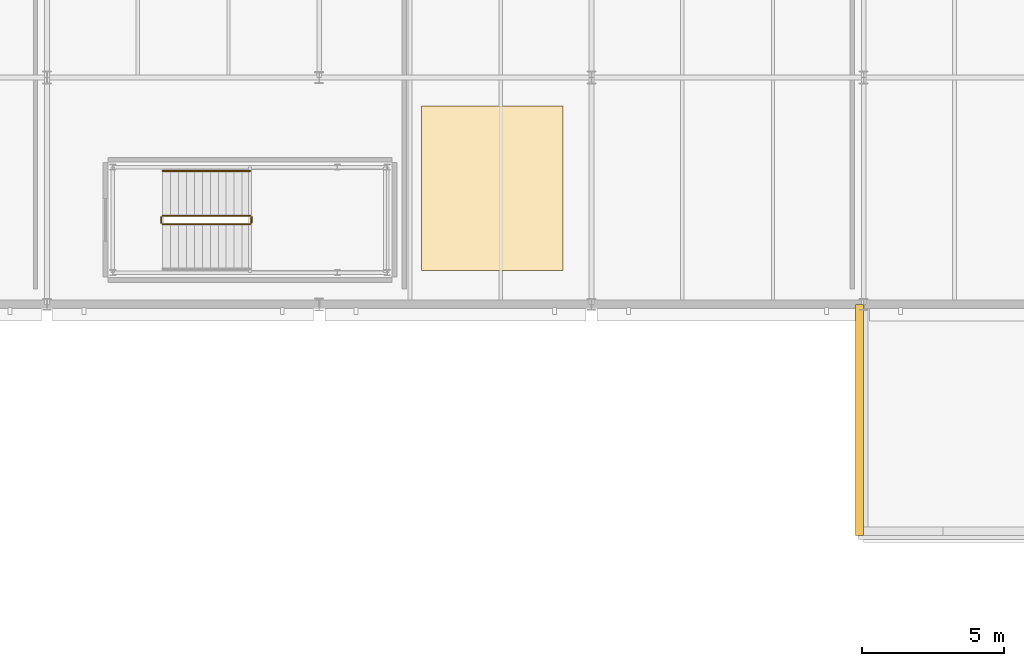
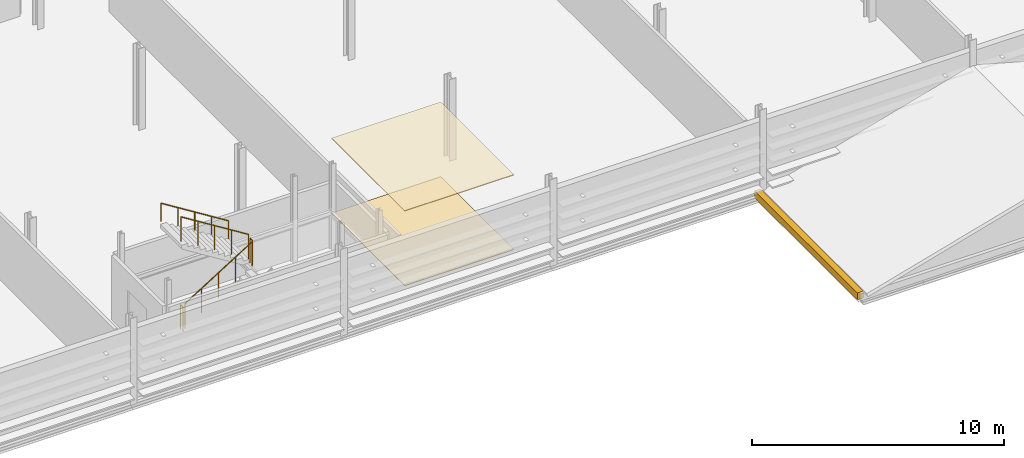
# One storey, part 79 of 85: 5 railings, 3 coverings.
"""IFC4 building model written with IfcOpenShell, lengths in metres."""

import ifcopenshell
import ifcopenshell.guid

model = None  # the IFC model being written
_history = None  # IfcOwnerHistory: only IFC2X3 demands one
_inside = {}  # id of a spatial element -> (the spatial element, [elements in it])
_under = {}  # id of a project, library or spatial element -> (it, [spatial elements below it])
_declared = {}  # id of a project -> (the project, [libraries it declares])
_typed = {}  # id of a type object -> (the type object, [elements of that type])
_made_of = {}  # id of a material, layer set ... -> (it, [elements and type objects made of it])


def new_model(schema):
    """Start an empty IFC model of exactly this schema.

    Asked for "IFC4X3", IfcOpenShell would pick the latest addendum, in which some entities
    have other attributes; the version numbers below select the first issue.
    IFC2X3 requires an IfcOwnerHistory on every rooted entity: one is made here for all.
    """
    global model, _history
    if schema == "IFC4X3":
        model = ifcopenshell.file(schema_version=(4, 3, 0, 0))
    else:
        model = ifcopenshell.file(schema=schema)
    _inside.clear()
    _under.clear()
    _declared.clear()
    _typed.clear()
    _made_of.clear()
    _history = None
    if model.schema == "IFC2X3":
        org = make("IfcOrganization", Name="unknown")
        user = make(
            "IfcPersonAndOrganization",
            ThePerson=make("IfcPerson", FamilyName="unknown"),
            TheOrganization=org,
        )
        app = make(
            "IfcApplication",
            ApplicationDeveloper=org,
            Version="unknown",
            ApplicationFullName="unknown",
            ApplicationIdentifier="unknown",
        )
        _history = make(
            "IfcOwnerHistory",
            OwningUser=user,
            OwningApplication=app,
            ChangeAction="ADDED",
            CreationDate=0,
        )
    return model


def make(cls, **values):
    """One entity of the class cls with the attributes given. An attribute that is None is left unset."""
    return model.create_entity(
        cls, **{name: value for name, value in values.items() if value is not None}
    )


def rooted(cls, **values):
    """An entity with a GlobalId (a new one), such as an element, a storey or a relation."""
    return make(cls, GlobalId=ifcopenshell.guid.new(), OwnerHistory=_history, **values)


def si_unit(unit_type, name, prefix=None):
    """IfcSIUnit, for example si_unit("LENGTHUNIT", "METRE", prefix="MILLI")."""
    return make("IfcSIUnit", UnitType=unit_type, Prefix=prefix, Name=name)


def assignment(units):
    """IfcUnitAssignment: the units of a project."""
    return None if units is None else make("IfcUnitAssignment", Units=units)


def point(xyz):
    """IfcCartesianPoint."""
    return None if xyz is None else make("IfcCartesianPoint", Coordinates=xyz)


def direction(xyz):
    """IfcDirection."""
    return None if xyz is None else make("IfcDirection", DirectionRatios=xyz)


def frame(location, z_axis=None, x_axis=None):
    """IfcAxis2Placement3D, a coordinate frame: its origin and axes. An axis left out is left unset."""
    return make(
        "IfcAxis2Placement3D",
        Location=point(location),
        Axis=direction(z_axis),
        RefDirection=direction(x_axis),
    )


def frame_2d(location, x_axis=None):
    """IfcAxis2Placement2D, a coordinate frame in the plane: its origin and x axis."""
    return make(
        "IfcAxis2Placement2D", Location=point(location), RefDirection=direction(x_axis)
    )


def origin():
    """The frame at (0, 0, 0) with its axes left unset."""
    return frame((0.0, 0.0, 0.0))


def origin_2d():
    """The frame at (0, 0) in the plane with its x axis left unset."""
    return frame_2d((0.0, 0.0))


def place(relative_to, where):
    """IfcLocalPlacement: puts the frame where relative to a parent placement (None: the world)."""
    return make(
        "IfcLocalPlacement", PlacementRelTo=relative_to, RelativePlacement=where
    )


def context(
    kind, dimensions, precision=None, world=None, true_north=None, identifier=None
):
    """IfcGeometricRepresentationContext, for example the 3D "Model" context."""
    return make(
        "IfcGeometricRepresentationContext",
        ContextIdentifier=identifier,
        ContextType=kind,
        CoordinateSpaceDimension=dimensions,
        Precision=precision,
        WorldCoordinateSystem=world,
        TrueNorth=true_north,
    )


def subcontext(parent, identifier, kind, view, scale=None):
    """IfcGeometricRepresentationSubContext, for example "Body" below "Model"."""
    return make(
        "IfcGeometricRepresentationSubContext",
        ContextIdentifier=identifier,
        ContextType=kind,
        ParentContext=parent,
        TargetScale=scale,
        TargetView=view,
    )


def project(units=None, contexts=None):
    """IfcProject with its units and contexts."""
    return rooted(
        "IfcProject",
        Name="project",
        RepresentationContexts=contexts,
        UnitsInContext=assignment(units),
    )


def spatial(cls, under=None, at=None, **own):
    """A site, building, storey or space (cls), placed at a placement, below another one or the project."""
    s = rooted(cls, ObjectPlacement=at, **own)
    if under is not None:
        _under.setdefault(under.id(), (under, []))[1].append(s)
    return s


def polyline(points):
    """IfcPolyline through the points."""
    return make("IfcPolyline", Points=[point(p) for p in points])


def profile(cls, at=None, kind="AREA", **sizes):
    """A parametric profile (cls). Its sizes go by their IFC names, for example OverallWidth=200.0."""
    return make(cls, ProfileType=kind, Position=at, **sizes)


def rectangle(**sizes):
    """IfcRectangleProfileDef."""
    return profile("IfcRectangleProfileDef", **sizes)


def circle(**sizes):
    """IfcCircleProfileDef."""
    return profile("IfcCircleProfileDef", **sizes)


def outline(outer, holes=None, kind="AREA"):
    """IfcArbitraryClosedProfileDef: a profile drawn as a closed curve; with holes, ...WithVoids."""
    if holes is None:
        return make("IfcArbitraryClosedProfileDef", ProfileType=kind, OuterCurve=outer)
    return make(
        "IfcArbitraryProfileDefWithVoids",
        ProfileType=kind,
        OuterCurve=outer,
        InnerCurves=holes,
    )


def extrude(swept, where, along, depth):
    """IfcExtrudedAreaSolid: the profile swept, set in the frame where, extruded along a direction by depth."""
    return make(
        "IfcExtrudedAreaSolid",
        SweptArea=swept,
        Position=where,
        ExtrudedDirection=direction(along),
        Depth=depth,
    )


def shape(context_of_items, identifier, shape_type, items):
    """IfcShapeRepresentation: the items that make up one representation, for example the "Body"."""
    return make(
        "IfcShapeRepresentation",
        ContextOfItems=context_of_items,
        RepresentationIdentifier=identifier,
        RepresentationType=shape_type,
        Items=items,
    )


def material(Name=None, Category=None):
    """IfcMaterial."""
    return make("IfcMaterial", Name=Name, Category=Category)


def layer(
    of_material, thickness, ventilated=None, Name=None, Category=None, Priority=None
):
    """IfcMaterialLayer: one layer of a wall or slab, of a material (None: an air gap)."""
    return make(
        "IfcMaterialLayer",
        Material=of_material,
        LayerThickness=thickness,
        IsVentilated=ventilated,
        Name=Name,
        Category=Category,
        Priority=Priority,
    )


def layer_set(layers, Name=None):
    """IfcMaterialLayerSet."""
    return make("IfcMaterialLayerSet", MaterialLayers=layers, LayerSetName=Name)


def made_of(thing, what):
    """Note that an element or type object is made of a material, layer set ...; save() writes the relation."""
    if what is not None:
        _made_of.setdefault(what.id(), (what, []))[1].append(thing)
    return thing


def type_object(cls, material=None, **own):
    """A type object (cls), such as IfcWallType, which elements share."""
    return made_of(rooted(cls, **own), material)


def element(
    cls,
    number,
    at=None,
    inside=None,
    cuts=None,
    type_object=None,
    material=None,
    context=None,
    identifier="Body",
    shape_type=None,
    held_by="IfcProductDefinitionShape",
    body=None,
    shapes=None,
    **own,
):
    """One element of the class cls, such as IfcWall. Its Tag is "e" and its number.

    at: its placement. inside: the storey or other place that contains it. cuts: it is an
    opening in that element (IfcRelVoidsElement). A single representation is given by context,
    identifier, shape_type and body (its items); several are given by shapes. held_by: the class
    of the entity that holds the representations. save() writes the other relations.
    """
    e = rooted(cls, Tag="e%d" % number, ObjectPlacement=at, **own)
    if body is not None:
        shapes = [shape(context, identifier, shape_type, body)]
    if shapes is not None:
        e.Representation = make(held_by, Representations=shapes)
    if inside is not None:
        _inside.setdefault(inside.id(), (inside, []))[1].append(e)
    if cuts is not None:
        rooted(
            "IfcRelVoidsElement", RelatingBuildingElement=cuts, RelatedOpeningElement=e
        )
    if type_object is not None:
        _typed.setdefault(type_object.id(), (type_object, []))[1].append(e)
    return made_of(e, material)


def aggregate(whole, parts):
    """IfcRelAggregates: a whole, such as a stair, and the parts it consists of."""
    return rooted("IfcRelAggregates", RelatingObject=whole, RelatedObjects=parts)


def save(model, path):
    """Write the relations noted so far, then the file.

    IfcRelAggregates (storeys below a building ...), IfcRelContainedInSpatialStructure (elements
    in a storey), IfcRelDefinesByType, IfcRelAssociatesMaterial and IfcRelDeclares: one each for
    every whole, place, type object, material and project.
    """
    for whole, parts in _under.values():
        aggregate(whole, parts)
    for where, things in _inside.values():
        rooted(
            "IfcRelContainedInSpatialStructure",
            RelatedElements=things,
            RelatingStructure=where,
        )
    for kind, things in _typed.values():
        rooted("IfcRelDefinesByType", RelatedObjects=things, RelatingType=kind)
    for what, things in _made_of.values():
        rooted("IfcRelAssociatesMaterial", RelatedObjects=things, RelatingMaterial=what)
    for by, libraries in _declared.values():
        rooted("IfcRelDeclares", RelatingContext=by, RelatedDefinitions=libraries)
    model.write(path)


model = new_model("IFC4")

# Units and contexts
model_context = context("Model", 3, precision=1e-05, world=origin(), true_north=direction((0.0, 1.0)))
body_context = subcontext(model_context, "Body", "Model", "MODEL_VIEW")
ifc_project = project(units=[si_unit("LENGTHUNIT", "METRE"), si_unit("AREAUNIT", "SQUARE_METRE"), si_unit("VOLUMEUNIT", "CUBIC_METRE"), si_unit("PLANEANGLEUNIT", "RADIAN"), si_unit("MASSUNIT", "GRAM", prefix="KILO")], contexts=[model_context])

# Site, building, storey
site_placement = place(None, origin())
site = spatial("IfcSite", under=ifc_project, at=site_placement, CompositionType="ELEMENT")
building_placement = place(site_placement, origin())
building = spatial("IfcBuilding", under=site, at=building_placement, Name="Alderhovde Museum", CompositionType="ELEMENT")
storey_placement = place(building_placement, frame((0.0, 0.0, 8.699951171875)))
storey = spatial("IfcBuildingStorey", under=building, at=storey_placement, Name="L02", CompositionType="ELEMENT", Elevation=8.699951171875)

# Coverings
ifc_material_1 = material(Name="Perforated Gypsum Acoustic Ceiling")
ifc_layer_1 = layer(ifc_material_1, 0.0400390625)
ifc_layer_set_1 = layer_set([ifc_layer_1], Name="Perforated Gypsum Acoustic Ceiling")
covering_type_1 = type_object("IfcCoveringType", Name="COV-CEIL-ACOU", PredefinedType="CEILING", material=ifc_layer_set_1)
covering_1_placement = place(storey_placement, frame((0.0, 0.0, 3.610107421875)))
element("IfcCovering", 1, at=covering_1_placement, inside=storey, type_object=covering_type_1, Name="L02 Acoustic Gallery Ceiling 5", PredefinedType="CEILING", context=body_context, shape_type="SweptSolid", body=[
    extrude(outline(polyline([(32.39990234375, 49.199951171875), (37.39990234375, 49.199951171875), (37.39990234375, 55.0), (32.39990234375, 55.0), (32.39990234375, 49.199951171875)])), origin(), (0.0, 0.0, 1.0), 0.0400390625),
])
ifc_material_2 = material(Name="Carved Jura Limestone Classical Cornice Moulding", Category="masonry")
ifc_layer_2 = layer(ifc_material_2, 0.280029296875)
ifc_layer_set_2 = layer_set([ifc_layer_2], Name="Carved Jura Limestone Classical Cornice Moulding")
covering_type_2 = type_object("IfcCoveringType", Name="COV-CORNICE-STONE", PredefinedType="MOLDING", material=ifc_layer_set_2)
covering_2_placement = place(storey_placement, frame((47.85009765625, 39.85009765625, -0.349853515625), z_axis=(0.0, 0.0, 1.0), x_axis=(0.0, 1.0, 0.0)))
element("IfcCovering", 2, at=covering_2_placement, inside=storey, type_object=covering_type_2, Name="L02 Classical Beaux-Arts Limestone Cornice 2", PredefinedType="MOLDING", context=body_context, shape_type="SweptSolid", body=[
    extrude(rectangle(XDim=8.14990234375, YDim=0.280029296875, at=frame_2d((4.074951171875, 0.0))), origin(), (0.0, 0.0, 1.0), 0.329833984375),
])
ifc_material_3 = material(Name="Honed Nordic Granite Terrazzo Flooring", Category="masonry")
ifc_layer_3 = layer(ifc_material_3, 0.030029296875)
ifc_layer_set_3 = layer_set([ifc_layer_3], Name="Honed Nordic Granite Terrazzo Flooring")
covering_type_3 = type_object("IfcCoveringType", Name="COV-FLR-TERRAZZO", PredefinedType="FLOORING", material=ifc_layer_set_3)
covering_3_placement = place(storey_placement, origin())
element("IfcCovering", 3, at=covering_3_placement, inside=storey, type_object=covering_type_3, Name="L02 Granite Terrazzo Flooring 5", PredefinedType="FLOORING", context=body_context, shape_type="SweptSolid", body=[
    extrude(outline(polyline([(32.39990234375, 49.199951171875), (37.39990234375, 49.199951171875), (37.39990234375, 55.0), (32.39990234375, 55.0), (32.39990234375, 49.199951171875)])), origin(), (0.0, 0.0, 1.0), 0.030029296875),
])

# Railings
ifc_material_4 = material(Name="Painted Steel S355 Guardrail", Category="steel")
railing_type_1 = type_object("IfcRailingType", Name="RL-GUARD-1200", PredefinedType="GUARDRAIL", material=ifc_material_4)
railing_1_placement = place(storey_placement, frame((23.280029296875, 50.830078125, 0.175048828125)))
element("IfcRailing", 4, at=railing_1_placement, inside=storey, type_object=railing_type_1, Name="L02 ST1 stair guard 1", PredefinedType="GUARDRAIL", context=body_context, shape_type="SweptSolid", body=[
    extrude(circle(Radius=0.02392578125, at=origin_2d()), frame((0.0, 0.0, 1.17578125), z_axis=(0.847998304005, 0.0, 0.529998940003), x_axis=(0.0, 1.0, 0.0)), (0.0, 0.0, 1.0), 3.632080078125),
    extrude(circle(Radius=0.02099609375, at=origin_2d()), origin(), (0.0, 0.0, 1.0), 1.15185546875),
    extrude(circle(Radius=0.02099609375, at=origin_2d()), frame((0.77001953125, 0.0, 0.481201171875)), (0.0, 0.0, 1.0), 1.15185546875),
    extrude(circle(Radius=0.02099609375, at=origin_2d()), frame((1.5400390625, 0.0, 0.96240234375)), (0.0, 0.0, 1.0), 1.15185546875),
    extrude(circle(Radius=0.02099609375, at=origin_2d()), frame((2.31005859375, 0.0, 1.44384765625)), (0.0, 0.0, 1.0), 1.15185546875),
    extrude(circle(Radius=0.02099609375, at=origin_2d()), frame((3.080078125, 0.0, 1.925048828125)), (0.0, 0.0, 1.0), 1.15185546875),
])
railing_2_placement = place(storey_placement, frame((26.409912109375, 50.8798828125, 2.10009765625)))
element("IfcRailing", 5, at=railing_2_placement, inside=storey, type_object=railing_type_1, Name="L02 ST1 stair guard 2", PredefinedType="GUARDRAIL", context=body_context, shape_type="SweptSolid", body=[
    extrude(circle(Radius=0.02392578125, at=origin_2d()), frame((0.0, 0.0, 1.17578125), z_axis=(0.0, 1.0, 0.0), x_axis=(-1.0, 0.0, 0.0)), (0.0, 0.0, 1.0), 0.2001953125),
    extrude(circle(Radius=0.02099609375, at=origin_2d()), origin(), (0.0, 0.0, 1.0), 1.15185546875),
    extrude(circle(Radius=0.02099609375, at=origin_2d()), frame((0.0, 0.2001953125, 0.0)), (0.0, 0.0, 1.0), 1.15185546875),
])
railing_3_placement = place(storey_placement, frame((26.360107421875, 51.1298828125, 2.275146484375)))
element("IfcRailing", 6, at=railing_3_placement, inside=storey, type_object=railing_type_1, Name="L02 ST1 stair guard 3", PredefinedType="GUARDRAIL", context=body_context, shape_type="SweptSolid", body=[
    extrude(circle(Radius=0.02392578125, at=origin_2d()), frame((0.0, 0.0, 1.17578125), z_axis=(-0.848028513186, 0.0, 0.529950602248), x_axis=(0.0, -1.0, 0.0)), (0.0, 0.0, 1.0), 3.632080078125),
    extrude(circle(Radius=0.02099609375, at=origin_2d()), origin(), (0.0, 0.0, 1.0), 1.15185546875),
    extrude(circle(Radius=0.02099609375, at=origin_2d()), frame((-0.77001953125, 0.0, 0.481201171875)), (0.0, 0.0, 1.0), 1.15185546875),
    extrude(circle(Radius=0.02099609375, at=origin_2d()), frame((-1.5400390625, 0.0, 0.96240234375)), (0.0, 0.0, 1.0), 1.15185546875),
    extrude(circle(Radius=0.02099609375, at=origin_2d()), frame((-2.31005859375, 0.0, 1.443603515625)), (0.0, 0.0, 1.0), 1.15185546875),
    extrude(circle(Radius=0.02099609375, at=origin_2d()), frame((-3.080078125, 0.0, 1.9248046875)), (0.0, 0.0, 1.0), 1.15185546875),
])
railing_4_placement = place(storey_placement, frame((23.22998046875, 50.8798828125, 0.0)))
element("IfcRailing", 7, at=railing_4_placement, inside=storey, type_object=railing_type_1, Name="L02 ST1 stair guard 4", PredefinedType="GUARDRAIL", context=body_context, shape_type="SweptSolid", body=[
    extrude(circle(Radius=0.02392578125, at=origin_2d()), frame((0.0, 0.0, 1.17578125), z_axis=(0.0, 1.0, 0.0), x_axis=(-1.0, 0.0, 0.0)), (0.0, 0.0, 1.0), 0.2001953125),
    extrude(circle(Radius=0.02099609375, at=origin_2d()), origin(), (0.0, 0.0, 1.0), 1.15185546875),
    extrude(circle(Radius=0.02099609375, at=origin_2d()), frame((0.0, 0.2001953125, 0.0)), (0.0, 0.0, 1.0), 1.15185546875),
])
ifc_material_5 = material(Name="Brushed Stainless Steel Handrail", Category="steel")
railing_type_2 = type_object("IfcRailingType", Name="RL-HANDRAIL-900", PredefinedType="HANDRAIL", material=ifc_material_5)
railing_5_placement = place(storey_placement, frame((26.360107421875, 52.7099609375, 2.275146484375)))
element("IfcRailing", 8, at=railing_5_placement, inside=storey, type_object=railing_type_2, Name="L02 ST1 stair handrail 2", PredefinedType="HANDRAIL", context=body_context, shape_type="SweptSolid", body=[
    extrude(circle(Radius=0.02392578125, at=origin_2d()), frame((0.0, 0.0, 0.8759765625), z_axis=(-0.848028513186, 0.0, 0.529950602248), x_axis=(0.0, -1.0, 0.0)), (0.0, 0.0, 1.0), 3.632080078125),
    extrude(circle(Radius=0.02099609375, at=origin_2d()), origin(), (0.0, 0.0, 1.0), 0.851806640625),
    extrude(circle(Radius=0.02099609375, at=origin_2d()), frame((-0.77001953125, 0.0, 0.481201171875)), (0.0, 0.0, 1.0), 0.851806640625),
    extrude(circle(Radius=0.02099609375, at=origin_2d()), frame((-1.5400390625, 0.0, 0.96240234375)), (0.0, 0.0, 1.0), 0.851806640625),
    extrude(circle(Radius=0.02099609375, at=origin_2d()), frame((-2.31005859375, 0.0, 1.443603515625)), (0.0, 0.0, 1.0), 0.851806640625),
    extrude(circle(Radius=0.02099609375, at=origin_2d()), frame((-3.080078125, 0.0, 1.9248046875)), (0.0, 0.0, 1.0), 0.851806640625),
])

save(model, "model.ifc")
